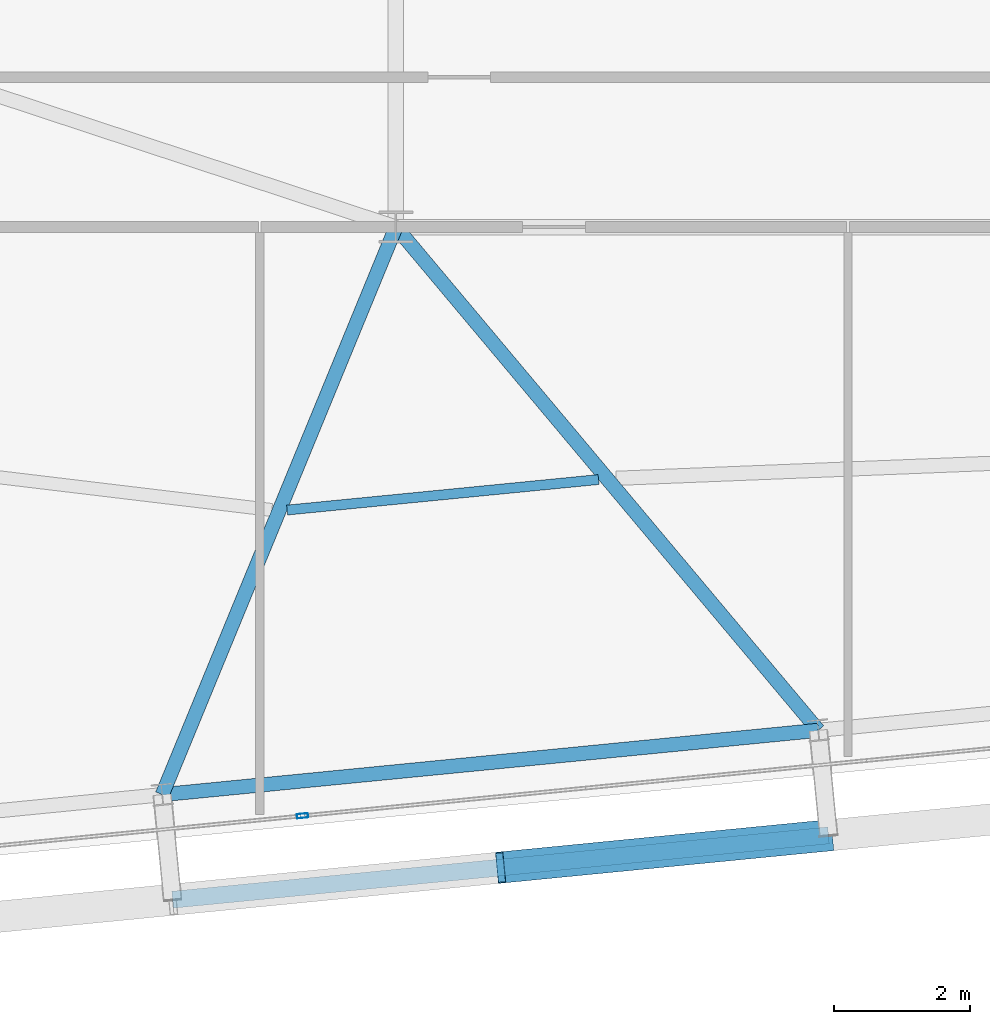
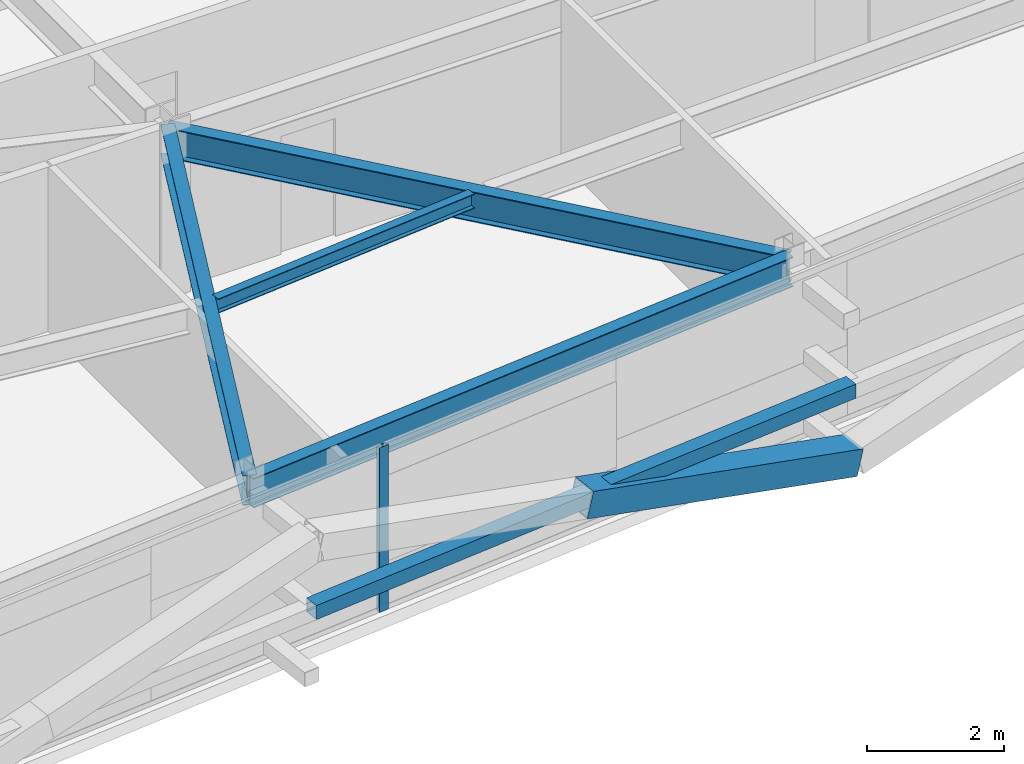
# One storey, part 9 of 47: 4 beams, 3 members, 1 element without a shape of its own.
"""IFC4 building model written with IfcOpenShell, lengths in metres."""

from ifc_helpers import new_model, si_unit, direction, frame, origin, origin_2d, place, context, subcontext, project, spatial, hollow_rectangle, i_section, extrude, source, transform, mapped, material, layer, layer_set, material_profile, profile_set, type_object, element, aggregate, save


model = new_model("IFC4")

# Units and contexts
model_context = context("Model", 3, precision=1e-05, world=origin(), true_north=direction((0.0, 1.0)))
body_context = subcontext(model_context, "Body", "Model", "MODEL_VIEW")
ifc_project = project(units=[si_unit("LENGTHUNIT", "METRE"), si_unit("AREAUNIT", "SQUARE_METRE"), si_unit("VOLUMEUNIT", "CUBIC_METRE"), si_unit("PLANEANGLEUNIT", "RADIAN"), si_unit("MASSUNIT", "GRAM", prefix="KILO")], contexts=[model_context])

# Site, building, storey
site_placement = place(None, origin())
site = spatial("IfcSite", under=ifc_project, at=site_placement, CompositionType="ELEMENT")
building_placement = place(site_placement, origin())
building = spatial("IfcBuilding", under=site, at=building_placement, Name="Taldren Reach Tower", CompositionType="ELEMENT")
storey_placement = place(building_placement, frame((0.0, 0.0, 87.14990234375)))
storey = spatial("IfcBuildingStorey", under=building, at=storey_placement, Name="L26", CompositionType="ELEMENT", Elevation=87.14990234375)

# Beams
ifc_material_1 = material(Name="Steel Gr 350 (350PLUS)", Category="steel")
ifc_material_profile_1 = material_profile(ifc_material_1, i_section(OverallWidth=0.208984375, OverallDepth=0.528076171875, WebThickness=0.009521484375, FlangeThickness=0.01318359375, at=origin_2d()), Name="530UB82.0")
ifc_profile_set_1 = profile_set([ifc_material_profile_1], Name="Steel Gr 350 (350PLUS)")
beam_type_1 = type_object("IfcBeamType", Name="SP-UB530B", PredefinedType="SPANDREL", material=ifc_profile_set_1)
shared_shape_1 = source(origin(), body_context, "Body", "SweptSolid", [
    extrude(i_section(OverallWidth=0.208984375, OverallDepth=0.528076171875, WebThickness=0.009521484375, FlangeThickness=0.01318359375, at=origin_2d()), origin(), (0.0, 0.0, 1.0), 9.679931640625),
])
beam_1_placement = place(storey_placement, frame((24.56787109375, 0.86474609375, 2.666015625), z_axis=(0.995227612658, 0.097580730699, 0.0), x_axis=(-0.097580730699, 0.995227612658, 0.0)))
element("IfcBeam", 1, at=beam_1_placement, inside=storey, type_object=beam_type_1, Name="Perimeter spandrel B2 S2-S3 L26", PredefinedType="SPANDREL", context=body_context, shape_type="MappedRepresentation", body=[
    mapped(shared_shape_1, transform((0.0, 0.0, 0.0), scale=1.0)),
])
ifc_material_profile_2 = material_profile(ifc_material_1, i_section(OverallWidth=0.208984375, OverallDepth=0.532958984375, WebThickness=0.01025390625, FlangeThickness=0.015625, at=origin_2d()), Name="530UB92.4")
ifc_profile_set_2 = profile_set([ifc_material_profile_2], Name="Steel Gr 350 (350PLUS)")
beam_type_2 = type_object("IfcBeamType", Name="BM-UB530A", PredefinedType="BEAM", material=ifc_profile_set_2)
shared_shape_2 = source(origin(), body_context, "Body", "SweptSolid", [
    extrude(i_section(OverallWidth=0.208984375, OverallDepth=0.532958984375, WebThickness=0.01025390625, FlangeThickness=0.015625, at=origin_2d()), origin(), (0.0, 0.0, 1.0), 9.01416015625),
])
beam_2_placement = place(storey_placement, frame((28.0, 9.199951171875, 2.66357421875), z_axis=(-0.380748443035, -0.924678659387, 0.0), x_axis=(0.924678659387, -0.380748443035, 0.0)))
element("IfcBeam", 2, at=beam_2_placement, inside=storey, type_object=beam_type_2, Name="Primary floor girder B2-S2 L26", PredefinedType="BEAM", context=body_context, shape_type="MappedRepresentation", body=[
    mapped(shared_shape_2, transform((0.0, 0.0, 0.0), scale=1.0)),
])
shared_shape_3 = source(origin(), body_context, "Body", "SweptSolid", [
    extrude(i_section(OverallWidth=0.208984375, OverallDepth=0.532958984375, WebThickness=0.01025390625, FlangeThickness=0.015625, at=origin_2d()), origin(), (0.0, 0.0, 1.0), 9.64794921875),
])
beam_3_placement = place(storey_placement, frame((28.0, 9.199951171875, 2.66357421875), z_axis=(0.642799132398, -0.766034774268, 0.0), x_axis=(0.766034774268, 0.642799132398, 0.0)))
element("IfcBeam", 3, at=beam_3_placement, inside=storey, type_object=beam_type_2, Name="Primary floor girder B2-S3 L26", PredefinedType="BEAM", context=body_context, shape_type="MappedRepresentation", body=[
    mapped(shared_shape_3, transform((0.0, 0.0, 0.0), scale=1.0)),
])
ifc_material_2 = material(Name="Steel Gr 300 (300PLUS, 300 MPa)", Category="steel")
ifc_material_profile_3 = material_profile(ifc_material_2, i_section(OverallWidth=0.14599609375, OverallDepth=0.256103515625, WebThickness=0.00634765625, FlangeThickness=0.010986328125, at=origin_2d()), Name="250UB37.3")
ifc_profile_set_3 = profile_set([ifc_material_profile_3], Name="Steel Gr 300 (300PLUS, 300 MPa)")
beam_type_3 = type_object("IfcBeamType", Name="JS-UB250", PredefinedType="JOIST", material=ifc_profile_set_3)
shared_shape_4 = source(origin(), body_context, "Body", "SweptSolid", [
    extrude(i_section(OverallWidth=0.14599609375, OverallDepth=0.256103515625, WebThickness=0.00634765625, FlangeThickness=0.010986328125, at=origin_2d()), origin(), (0.0, 0.0, 1.0), 4.594970703125),
])
beam_4_placement = place(storey_placement, frame((26.40185546875, 5.0439453125, 2.802001953125), z_axis=(0.995230447096, 0.097551817888, 0.0), x_axis=(-0.097551817888, 0.995230447096, 0.0)))
element("IfcBeam", 4, at=beam_4_placement, inside=storey, type_object=beam_type_3, Name="Secondary floor joist B2 J2 L26", PredefinedType="JOIST", context=body_context, shape_type="MappedRepresentation", body=[
    mapped(shared_shape_4, transform((0.0, 0.0, 0.0), scale=1.0)),
])

# Members
ifc_material_3 = material(Name="Steel Gr 450 (C450L0)", Category="steel")
ifc_material_profile_4 = material_profile(ifc_material_3, hollow_rectangle(XDim=0.4599609375, YDim=0.4599609375, WallThickness=0.01611328125, at=origin_2d()), Name="460x460x16.0SHS")
ifc_profile_set_4 = profile_set([ifc_material_profile_4], Name="Steel Gr 450 (C450L0)")
member_type_1 = type_object("IfcMemberType", Name="MB-EXO457", PredefinedType="BRACE", material=ifc_profile_set_4)
shared_shape_5 = source(origin(), body_context, "Body", "SweptSolid", [
    extrude(hollow_rectangle(XDim=0.4599609375, YDim=0.4599609375, WallThickness=0.01611328125, at=origin_2d()), origin(), (0.0, 0.0, 1.0), 4.990234375),
])
member_1_placement = place(storey_placement, frame((34.35302734375, 0.2666015625, 0.22021484375), z_axis=(-0.965287024526, -0.094620633828, 0.24344998652), x_axis=(0.097555749586, -0.995230061706, 0.0)))
element("IfcMember", 5, at=member_1_placement, inside=storey, type_object=member_type_1, Name="Exoskeleton Diagrid Brace B2-S2 L26", PredefinedType="BRACE", context=body_context, shape_type="MappedRepresentation", body=[
    mapped(shared_shape_5, transform((0.0, 0.0, 0.0), scale=1.0)),
])
ifc_material_4 = material(Name="Steel Gr 350 (C350L0)", Category="steel")
ifc_material_profile_5 = material_profile(ifc_material_4, hollow_rectangle(XDim=0.25, YDim=0.25, WallThickness=0.010009765625, at=origin_2d()), Name="250x250x10.0SHS")
ifc_profile_set_5 = profile_set([ifc_material_profile_5], Name="Steel Gr 350 (C350L0)")
member_type_2 = type_object("IfcMemberType", Name="MB-POST250", PredefinedType="POST", material=ifc_profile_set_5)
shared_shape_6 = source(origin(), body_context, "Body", "SweptSolid", [
    extrude(hollow_rectangle(XDim=0.25, YDim=0.25, WallThickness=0.010009765625, at=origin_2d()), origin(), (0.0, 0.0, 1.0), 9.679931640625),
])
member_2_placement = place(storey_placement, frame((24.71923828125, -0.677978515625, 1.43505859375), z_axis=(0.995227612658, 0.097580730699, 0.0), x_axis=(-0.097580730699, 0.995227612658, 0.0)))
element("IfcMember", 6, at=member_2_placement, inside=storey, type_object=member_type_2, Name="Exoskeleton mid-height ring chord B2-S2 L26", PredefinedType="POST", context=body_context, shape_type="MappedRepresentation", body=[
    mapped(shared_shape_6, transform((0.0, 0.0, 0.0), scale=1.0)),
])

# Curtain wall, member
ifc_material_5 = material(Name="Aluminium and Low-E Glass Unitised System", Category="aluminium")
ifc_layer = layer(ifc_material_5, 0.159912109375)
ifc_layer_set = layer_set([ifc_layer], Name="Aluminium and Low-E Glass Unitised System")
curtain_wall_type = type_object("IfcCurtainWallType", Name="CW-SYS-3", PredefinedType="NOTDEFINED", material=ifc_layer_set)
curtain_wall_placement = place(storey_placement, origin())
curtain_wall = element("IfcCurtainWall", 7, at=curtain_wall_placement, inside=storey, type_object=curtain_wall_type, Name="Unitised curtain wall CW-L26-S", PredefinedType="NOTDEFINED")
ifc_material_6 = material(Name="Anodised Aluminium 6063-T6", Category="aluminium")
ifc_material_profile_6 = material_profile(ifc_material_6, hollow_rectangle(XDim=0.06494140625, YDim=0.1650390625, WallThickness=0.00390625, at=origin_2d()), Name="ALU-165x65x4RHS")
ifc_profile_set_6 = profile_set([ifc_material_profile_6], Name="Anodised Aluminium 6063-T6")
member_type_3 = type_object("IfcMemberType", Name="CW-MUL-165", PredefinedType="MULLION", material=ifc_profile_set_6)
shared_shape_7 = source(origin(), body_context, "Body", "SweptSolid", [
    extrude(hollow_rectangle(XDim=0.06494140625, YDim=0.1650390625, WallThickness=0.00390625, at=origin_2d()), origin(), (0.0, 0.0, 1.0), 2.93017578125),
])
member_3_placement = place(storey_placement, frame((26.628173828125, 0.55419921875, 0.0), z_axis=(0.0, 0.0, 1.0), x_axis=(-0.097582999046, 0.995227390247, 0.0)))
member_3 = element("IfcMember", 8, at=member_3_placement, type_object=member_type_3, Name="CW-3 mullion 2", PredefinedType="MULLION", context=body_context, shape_type="MappedRepresentation", body=[
    mapped(shared_shape_7, transform((0.0, 0.0, 0.0), scale=1.0)),
])
aggregate(curtain_wall, [member_3])

save(model, "model.ifc")
